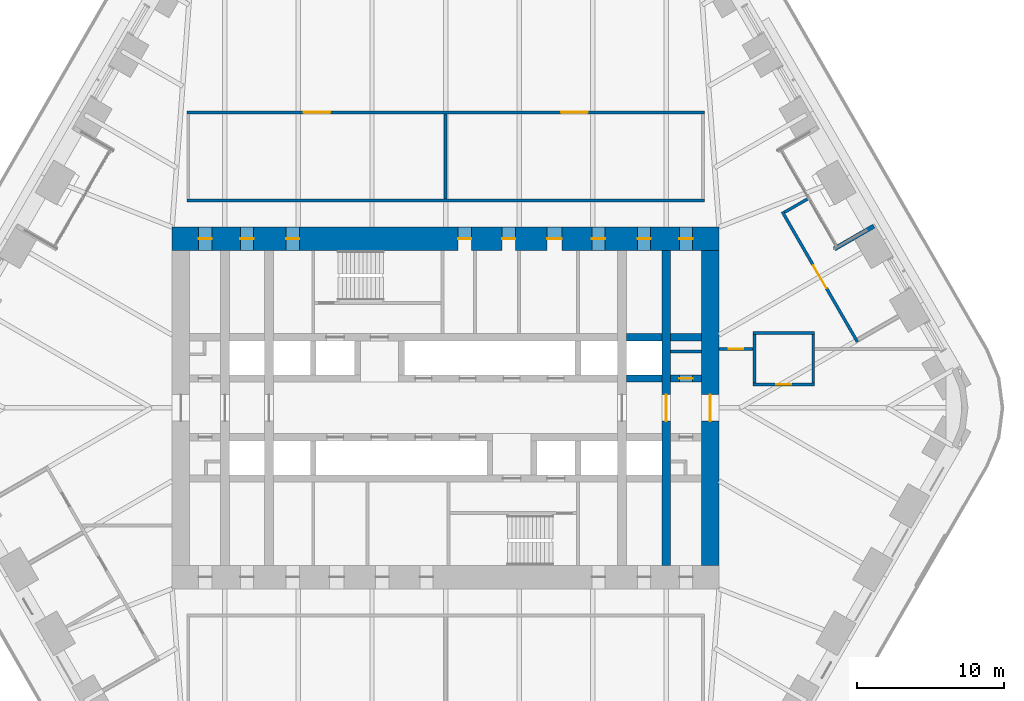
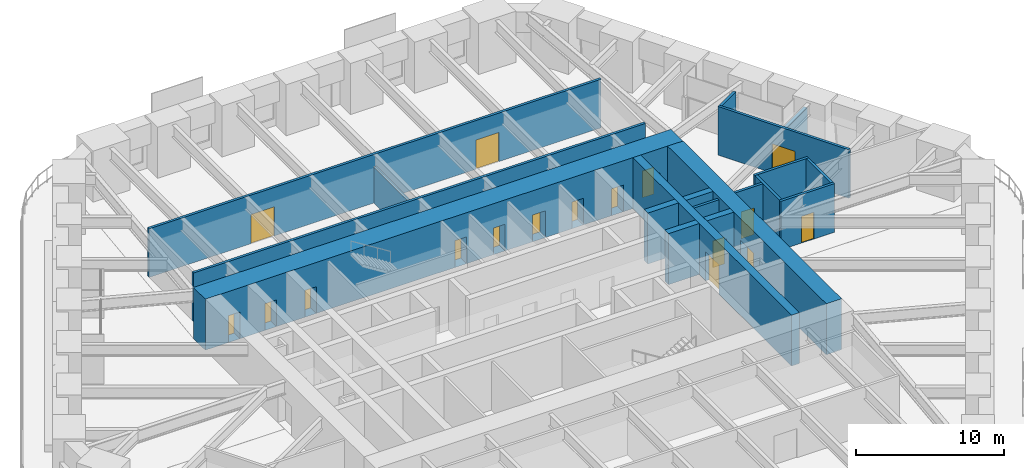
# One storey, part 20 of 24: 19 walls, 17 doors, 17 openings.
"""IFC4 building model written with IfcOpenShell, lengths in metres."""

from ifc_helpers import new_model, si_unit, direction, frame, frame_2d, origin, place, context, subcontext, project, spatial, rectangle, extrude, material, layer, layer_set, type_object, element, fill, save


model = new_model("IFC4")

# Units and contexts
model_context = context("Model", 3, precision=1e-05, world=origin(), true_north=direction((0.0, 1.0)))
body_context = subcontext(model_context, "Body", "Model", "MODEL_VIEW")
ifc_project = project(units=[si_unit("LENGTHUNIT", "METRE"), si_unit("AREAUNIT", "SQUARE_METRE"), si_unit("VOLUMEUNIT", "CUBIC_METRE"), si_unit("PLANEANGLEUNIT", "RADIAN"), si_unit("MASSUNIT", "GRAM", prefix="KILO")], contexts=[model_context])

# Site, building, storey
site_placement = place(None, origin())
site = spatial("IfcSite", under=ifc_project, at=site_placement, CompositionType="ELEMENT")
building_placement = place(site_placement, origin())
building = spatial("IfcBuilding", under=site, at=building_placement, Name="Tarfa Lantern Tower", CompositionType="ELEMENT")
storey_placement = place(building_placement, frame((0.0, 0.0, 119.5)))
storey = spatial("IfcBuildingStorey", under=building, at=storey_placement, Name="L26", CompositionType="ELEMENT", Elevation=119.5)

# Walls
ifc_material_1 = material(Name="Limestone cladding on blockwork", Category="masonry")
ifc_layer_1 = layer(ifc_material_1, 0.300048828125)
ifc_layer_set_1 = layer_set([ifc_layer_1], Name="EW1 STONE-CLAD WALL 300")
wall_type_1 = type_object("IfcWallType", Name="EW1 STONE-CLAD WALL 300", PredefinedType="SOLIDWALL", material=ifc_layer_set_1)
wall_1_placement = place(storey_placement, frame((29.1201171875, 12.362548828125, 0.0), z_axis=(0.0, 0.0, 1.0), x_axis=(-0.86602952684, -0.49999285859, 0.0)))
element("IfcWall", 1, at=wall_1_placement, inside=storey, type_object=wall_type_1, Name="Loggia return NE 1", PredefinedType="SOLIDWALL", context=body_context, shape_type="SweptSolid", body=[
    extrude(rectangle(XDim=3.10009765625, YDim=0.300048828125, at=frame_2d((1.550048828125, 0.0))), origin(), (0.0, 0.0, 1.0), 2.300048828125),
])
ifc_material_2 = material(Name="Concrete blockwork", Category="masonry")
ifc_layer_2 = layer(ifc_material_2, 0.199951171875)
ifc_layer_set_2 = layer_set([ifc_layer_2], Name="IW1 BLOCKWORK PARTITION 200 EI 120")
wall_type_2 = type_object("IfcWallType", Name="IW1 BLOCKWORK PARTITION 200 EI 120", PredefinedType="PARTITIONING", material=ifc_layer_set_2)
wall_2_placement = place(storey_placement, frame((15.300048828125, 3.85009765625, 0.0), z_axis=(0.0, 0.0, 1.0), x_axis=(1.0, 0.0, 0.0)))
element("IfcWall", 2, at=wall_2_placement, inside=storey, type_object=wall_type_2, Name="Core partition", PredefinedType="PARTITIONING", context=body_context, shape_type="SweptSolid", body=[
    extrude(rectangle(XDim=2.099853515625, YDim=0.199951171875, at=frame_2d((1.0498046875, 0.0))), origin(), (0.0, 0.0, 1.0), 4.0),
])
ifc_material_3 = material(Name="Gypsum board on steel studs", Category="steel")
ifc_layer_3 = layer(ifc_material_3, 0.2099609375)
ifc_layer_set_3 = layer_set([ifc_layer_3], Name="IW2 ACOUSTIC PARTITION 200")
wall_type_3 = type_object("IfcWallType", Name="IW2 ACOUSTIC PARTITION 200", PredefinedType="PARTITIONING", material=ifc_layer_set_3)
wall_3_placement = place(storey_placement, frame((-17.60009765625, 14.10009765625, 0.0), z_axis=(0.0, 0.0, 1.0), x_axis=(1.0, 0.0, 0.0)))
element("IfcWall", 3, at=wall_3_placement, inside=storey, type_object=wall_type_3, Name="Partition", PredefinedType="PARTITIONING", context=body_context, shape_type="SweptSolid", body=[
    extrude(rectangle(XDim=35.2001953125, YDim=0.199951171875, at=frame_2d((17.60009765625, 0.0))), origin(), (0.0, 0.0, 1.0), 4.0),
])

# Wall, openings, doors
wall_4_placement = place(storey_placement, frame((-17.60009765625, 20.10009765625, 0.0), z_axis=(0.0, 0.0, 1.0), x_axis=(1.0, 0.0, 0.0)))
wall_4 = element("IfcWall", 4, at=wall_4_placement, inside=storey, type_object=wall_type_3, Name="Partition", PredefinedType="PARTITIONING", context=body_context, shape_type="SweptSolid", body=[
    extrude(rectangle(XDim=35.2001953125, YDim=0.199951171875, at=frame_2d((17.60009765625, 0.0))), origin(), (0.0, 0.0, 1.0), 4.0),
])
opening_1_placement = place(wall_4_placement, frame((7.949951171875, 0.0, 0.0)))
opening_1 = element("IfcOpeningElement", 5, at=opening_1_placement, cuts=wall_4, Name="Opening D38", PredefinedType="OPENING", context=body_context, shape_type="SweptSolid", body=[
    extrude(rectangle(XDim=1.800048828125, YDim=2.39990234375, at=frame_2d((0.89990234375, 1.199951171875))), frame((0.0, 0.10986328125, 0.0), z_axis=(0.0, -1.0, 0.0), x_axis=(1.0, 0.0, 0.0)), (0.0, 0.0, 1.0), 0.219970703125),
])
opening_2_placement = place(wall_4_placement, frame((25.449951171875, 0.0, 0.0)))
opening_2 = element("IfcOpeningElement", 6, at=opening_2_placement, cuts=wall_4, Name="Opening D39", PredefinedType="OPENING", context=body_context, shape_type="SweptSolid", body=[
    extrude(rectangle(XDim=1.800048828125, YDim=2.39990234375, at=frame_2d((0.89990234375, 1.199951171875))), frame((0.0, 0.10986328125, 0.0), z_axis=(0.0, -1.0, 0.0), x_axis=(1.0, 0.0, 0.0)), (0.0, 0.0, 1.0), 0.219970703125),
])
ifc_material_4 = material(Name="Timber door", Category="wood")
door_type_1 = type_object("IfcDoorType", Name="DR2 ROOM DOOR 1800x2400", OperationType="DOUBLE_DOOR_SINGLE_SWING", PredefinedType="DOOR", material=ifc_material_4)
door_1_placement = place(opening_1_placement, frame((1.800048828125, 0.0, 0.0), z_axis=(0.0, 0.0, 1.0), x_axis=(-1.0, 0.0, 0.0)))
door_1 = element("IfcDoor", 7, at=door_1_placement, inside=storey, type_object=door_type_1, Name="Classroom door", OperationType="DOUBLE_DOOR_SINGLE_SWING", OverallHeight=2.39990234375, OverallWidth=1.800048828125, PredefinedType="DOOR", context=body_context, shape_type="SweptSolid", body=[
    extrude(rectangle(XDim=1.800048828125, YDim=2.39990234375, at=frame_2d((0.89990234375, 1.199951171875))), frame((0.0, 0.02490234375, 0.0), z_axis=(0.0, -1.0, 0.0), x_axis=(1.0, 0.0, 0.0)), (0.0, 0.0, 1.0), 0.050048828125),
])
fill(opening_1, door_1)
door_2_placement = place(opening_2_placement, frame((1.800048828125, 0.0, 0.0), z_axis=(0.0, 0.0, 1.0), x_axis=(-1.0, 0.0, 0.0)))
door_2 = element("IfcDoor", 8, at=door_2_placement, inside=storey, type_object=door_type_1, Name="Tutors' office door", OperationType="DOUBLE_DOOR_SINGLE_SWING", OverallHeight=2.39990234375, OverallWidth=1.800048828125, PredefinedType="DOOR", context=body_context, shape_type="SweptSolid", body=[
    extrude(rectangle(XDim=1.800048828125, YDim=2.39990234375, at=frame_2d((0.89990234375, 1.199951171875))), frame((0.0, 0.02490234375, 0.0), z_axis=(0.0, -1.0, 0.0), x_axis=(1.0, 0.0, 0.0)), (0.0, 0.0, 1.0), 0.050048828125),
])
fill(opening_2, door_2)

# Wall
wall_5_placement = place(storey_placement, frame((0.0, 14.199951171875, 0.0), z_axis=(0.0, 0.0, 1.0), x_axis=(0.0, 1.0, 0.0)))
element("IfcWall", 9, at=wall_5_placement, inside=storey, type_object=wall_type_3, Name="Partition", PredefinedType="PARTITIONING", context=body_context, shape_type="SweptSolid", body=[
    extrude(rectangle(XDim=5.800048828125, YDim=0.199951171875, at=frame_2d((2.89990234375, 0.0))), origin(), (0.0, 0.0, 1.0), 2.991943359375),
])

# Wall, opening, door
wall_6_placement = place(storey_placement, frame((28.00341796875, 4.496826171875, 0.0), z_axis=(0.0, 0.0, 1.0), x_axis=(-0.500005407604, 0.86602228168, 0.0)))
wall_6 = element("IfcWall", 10, at=wall_6_placement, inside=storey, type_object=wall_type_3, Name="Partition", PredefinedType="PARTITIONING", context=body_context, shape_type="SweptSolid", body=[
    extrude(rectangle(XDim=10.20751953125, YDim=0.199951171875, at=frame_2d((5.103759765625, 0.0))), origin(), (0.0, 0.0, 1.0), 4.0),
])
opening_3_placement = place(wall_6_placement, frame((4.20361328125, 0.0, 0.0)))
opening_3 = element("IfcOpeningElement", 11, at=opening_3_placement, cuts=wall_6, Name="Opening D34", PredefinedType="OPENING", context=body_context, shape_type="SweptSolid", body=[
    extrude(rectangle(XDim=1.800048828125, YDim=2.39990234375, at=frame_2d((0.89990234375, 1.199951171875))), frame((0.0, 0.10986328125, 0.0), z_axis=(0.0, -1.0, 0.0), x_axis=(1.0, 0.0, 0.0)), (0.0, 0.0, 1.0), 0.219970703125),
])
door_3_placement = place(opening_3_placement, frame((1.800048828125, 0.0, 0.0), z_axis=(0.0, 0.0, 1.0), x_axis=(-1.0, 0.0, 0.0)))
door_3 = element("IfcDoor", 12, at=door_3_placement, inside=storey, type_object=door_type_1, Name="Knowledge centre door", OperationType="DOUBLE_DOOR_SINGLE_SWING", OverallHeight=2.39990234375, OverallWidth=1.800048828125, PredefinedType="DOOR", context=body_context, shape_type="SweptSolid", body=[
    extrude(rectangle(XDim=1.800048828125, YDim=2.39990234375, at=frame_2d((0.89990234375, 1.199951171875))), frame((0.0, 0.02490234375, 0.0), z_axis=(0.0, -1.0, 0.0), x_axis=(1.0, 0.0, 0.0)), (0.0, 0.0, 1.0), 0.050048828125),
])
fill(opening_3, door_3)

# Wall
wall_7_placement = place(storey_placement, frame((23.036376953125, 13.300048828125, 0.0), z_axis=(0.0, 0.0, 1.0), x_axis=(0.866029456041, 0.49999298122, 0.0)))
element("IfcWall", 13, at=wall_7_placement, inside=storey, type_object=wall_type_3, Name="Partition", PredefinedType="PARTITIONING", context=body_context, shape_type="SweptSolid", body=[
    extrude(rectangle(XDim=1.90087890625, YDim=0.199951171875, at=frame_2d((0.950439453125, 0.0))), origin(), (0.0, 0.0, 1.0), 4.0),
])

# Wall, opening, door
wall_8_placement = place(storey_placement, frame((20.89990234375, 1.60009765625, 0.0), z_axis=(0.0, 0.0, 1.0), x_axis=(1.0, 0.0, 0.0)))
wall_8 = element("IfcWall", 14, at=wall_8_placement, inside=storey, type_object=wall_type_3, Name="Partition", PredefinedType="PARTITIONING", context=body_context, shape_type="SweptSolid", body=[
    extrude(rectangle(XDim=4.2001953125, YDim=0.199951171875, at=frame_2d((2.10009765625, 0.0))), origin(), (0.0, 0.0, 1.0), 4.0),
])
opening_4_placement = place(wall_8_placement, frame((1.60009765625, 0.0, 0.0)))
opening_4 = element("IfcOpeningElement", 15, at=opening_4_placement, cuts=wall_8, Name="Opening D33", PredefinedType="OPENING", context=body_context, shape_type="SweptSolid", body=[
    extrude(rectangle(XDim=1.0, YDim=2.199951171875, at=frame_2d((0.5, 1.10009765625))), frame((0.0, 0.10986328125, 0.0), z_axis=(0.0, -1.0, 0.0), x_axis=(1.0, 0.0, 0.0)), (0.0, 0.0, 1.0), 0.219970703125),
])
door_type_2 = type_object("IfcDoorType", Name="DR1 ROOM DOOR 1000x2200", OperationType="SINGLE_SWING_LEFT", PredefinedType="DOOR", material=ifc_material_4)
door_4_placement = place(opening_4_placement, origin())
door_4 = element("IfcDoor", 16, at=door_4_placement, inside=storey, type_object=door_type_2, Name="Pantry door", OperationType="SINGLE_SWING_RIGHT", OverallHeight=2.199951171875, OverallWidth=1.0, PredefinedType="DOOR", context=body_context, shape_type="SweptSolid", body=[
    extrude(rectangle(XDim=1.0, YDim=2.199951171875, at=frame_2d((0.5, 1.10009765625))), frame((0.0, 0.02490234375, 0.0), z_axis=(0.0, -1.0, 0.0), x_axis=(1.0, 0.0, 0.0)), (0.0, 0.0, 1.0), 0.050048828125),
])
fill(opening_4, door_4)

# Walls
wall_9_placement = place(storey_placement, frame((20.89990234375, 5.10009765625, 0.0), z_axis=(0.0, 0.0, 1.0), x_axis=(1.0, 0.0, 0.0)))
element("IfcWall", 17, at=wall_9_placement, inside=storey, type_object=wall_type_3, Name="Partition", PredefinedType="PARTITIONING", context=body_context, shape_type="SweptSolid", body=[
    extrude(rectangle(XDim=4.2001953125, YDim=0.199951171875, at=frame_2d((2.10009765625, 0.0))), origin(), (0.0, 0.0, 1.0), 4.0),
])
for number, where, z_axis, x_axis, name in (
    (18, (21.0, 1.699951171875, 0.0), (0.0, 0.0, 1.0), (0.0, 1.0, 0.0), "Partition"),
    (19, (25.0, 1.699951171875, 0.0), (0.0, 0.0, 1.0), (0.0, 1.0, 0.0), "Partition"),
):
    element("IfcWall", number, at=place(storey_placement, frame(where, z_axis=z_axis, x_axis=x_axis)), inside=storey, type_object=wall_type_3, Name=name, PredefinedType="PARTITIONING", context=body_context, shape_type="SweptSolid", body=[
        extrude(rectangle(XDim=3.300048828125, YDim=0.199951171875, at=frame_2d((1.64990234375, 0.0))), origin(), (0.0, 0.0, 1.0), 4.0),
    ])

# Wall, opening, door
wall_10_placement = place(storey_placement, frame((18.60009765625, 4.0, 0.0), z_axis=(0.0, 0.0, 1.0), x_axis=(1.0, 0.0, 0.0)))
wall_10 = element("IfcWall", 20, at=wall_10_placement, inside=storey, type_object=wall_type_3, Name="Partition", PredefinedType="PARTITIONING", context=body_context, shape_type="SweptSolid", body=[
    extrude(rectangle(XDim=2.2998046875, YDim=0.199951171875, at=frame_2d((1.14990234375, 0.0))), origin(), (0.0, 0.0, 1.0), 4.0),
])
opening_5_placement = place(wall_10_placement, frame((0.64990234375, 0.0, 0.0)))
opening_5 = element("IfcOpeningElement", 21, at=opening_5_placement, cuts=wall_10, Name="Opening D42", PredefinedType="OPENING", context=body_context, shape_type="SweptSolid", body=[
    extrude(rectangle(XDim=1.0, YDim=2.199951171875, at=frame_2d((0.5, 1.10009765625))), frame((0.0, 0.10986328125, 0.0), z_axis=(0.0, -1.0, 0.0), x_axis=(1.0, 0.0, 0.0)), (0.0, 0.0, 1.0), 0.219970703125),
])
door_5_placement = place(opening_5_placement, frame((1.0, 0.0, 0.0), z_axis=(0.0, 0.0, 1.0), x_axis=(-1.0, 0.0, 0.0)))
door_5 = element("IfcDoor", 22, at=door_5_placement, inside=storey, type_object=door_type_2, Name="Zone door", OperationType="SINGLE_SWING_RIGHT", OverallHeight=2.199951171875, OverallWidth=1.0, PredefinedType="DOOR", context=body_context, shape_type="SweptSolid", body=[
    extrude(rectangle(XDim=1.0, YDim=2.199951171875, at=frame_2d((0.5, 1.10009765625))), frame((0.0, 0.02490234375, 0.0), z_axis=(0.0, -1.0, 0.0), x_axis=(1.0, 0.0, 0.0)), (0.0, 0.0, 1.0), 0.050048828125),
])
fill(opening_5, door_5)

ifc_material_5 = material(Name="Concrete C80/95", Category="concrete")
ifc_layer_4 = layer(ifc_material_5, 1.199951171875)
ifc_layer_set_4 = layer_set([ifc_layer_4], Name="SW1 CORE WALL 1200")
wall_type_4 = type_object("IfcWallType", Name="SW1 CORE WALL 1200", PredefinedType="SHEAR", material=ifc_layer_set_4)
wall_11_placement = place(storey_placement, frame((18.0, -10.699951171875, 0.0), z_axis=(0.0, 0.0, 1.0), x_axis=(0.0, 1.0, 0.0)))
wall_11 = element("IfcWall", 23, at=wall_11_placement, inside=storey, type_object=wall_type_4, Name="Core wall E", PredefinedType="SHEAR", context=body_context, shape_type="SweptSolid", body=[
    extrude(rectangle(XDim=21.39990234375, YDim=1.199951171875, at=frame_2d((10.699951171875, 0.0))), origin(), (0.0, 0.0, 1.0), 4.199951171875),
])
opening_6_placement = place(wall_11_placement, frame((9.800048828125, 0.0, 0.0)))
opening_6 = element("IfcOpeningElement", 24, at=opening_6_placement, cuts=wall_11, Name="Opening D15", PredefinedType="OPENING", context=body_context, shape_type="SweptSolid", body=[
    extrude(rectangle(XDim=1.800048828125, YDim=2.39990234375, at=frame_2d((0.89990234375, 1.199951171875))), frame((0.0, 0.60986328125, 0.0), z_axis=(0.0, -1.0, 0.0), x_axis=(1.0, 0.0, 0.0)), (0.0, 0.0, 1.0), 1.219970703125),
])
ifc_material_6 = material(Name="Steel fire door", Category="steel")
door_type_3 = type_object("IfcDoorType", Name="DL1 LOBBY DOOR 1800x2400", OperationType="DOUBLE_DOOR_SINGLE_SWING", PredefinedType="DOOR", material=ifc_material_6)
door_6_placement = place(opening_6_placement, frame((1.800048828125, 0.0, 0.0), z_axis=(0.0, 0.0, 1.0), x_axis=(-1.0, 0.0, 0.0)))
door_6 = element("IfcDoor", 25, at=door_6_placement, inside=storey, type_object=door_type_3, Name="Lift lobby door", OperationType="DOUBLE_DOOR_SINGLE_SWING", OverallHeight=2.39990234375, OverallWidth=1.800048828125, PredefinedType="DOOR", context=body_context, shape_type="SweptSolid", body=[
    extrude(rectangle(XDim=1.800048828125, YDim=2.39990234375, at=frame_2d((0.89990234375, 1.199951171875))), frame((0.0, 0.02490234375, 0.0), z_axis=(0.0, -1.0, 0.0), x_axis=(1.0, 0.0, 0.0)), (0.0, 0.0, 1.0), 0.050048828125),
])
fill(opening_6, door_6)

# Wall
ifc_layer_5 = layer(ifc_material_5, 0.5)
ifc_layer_set_5 = layer_set([ifc_layer_5], Name="SW5 CORE WALL 500")
wall_type_5 = type_object("IfcWallType", Name="SW5 CORE WALL 500", PredefinedType="SHEAR", material=ifc_layer_set_5)
wall_12_placement = place(storey_placement, frame((12.300048828125, 2.0, 0.0), z_axis=(0.0, 0.0, 1.0), x_axis=(1.0, 0.0, 0.0)))
element("IfcWall", 26, at=wall_12_placement, inside=storey, type_object=wall_type_5, Name="Core wall lobby east N", PredefinedType="SHEAR", context=body_context, shape_type="SweptSolid", body=[
    extrude(rectangle(XDim=2.39990234375, YDim=0.5, at=frame_2d((1.199951171875, 0.0))), origin(), (0.0, 0.0, 1.0), 4.199951171875),
])

# Wall, opening, door
wall_13_placement = place(storey_placement, frame((15.300048828125, 2.0, 0.0), z_axis=(0.0, 0.0, 1.0), x_axis=(1.0, 0.0, 0.0)))
wall_13 = element("IfcWall", 27, at=wall_13_placement, inside=storey, type_object=wall_type_5, Name="Core wall lobby east N", PredefinedType="SHEAR", context=body_context, shape_type="SweptSolid", body=[
    extrude(rectangle(XDim=2.099853515625, YDim=0.5, at=frame_2d((1.0498046875, 0.0))), origin(), (0.0, 0.0, 1.0), 4.199951171875),
])
opening_7_placement = place(wall_13_placement, frame((0.60009765625, 0.0, 0.0)))
opening_7 = element("IfcOpeningElement", 28, at=opening_7_placement, cuts=wall_13, Name="Opening D17", PredefinedType="OPENING", context=body_context, shape_type="SweptSolid", body=[
    extrude(rectangle(XDim=0.89990234375, YDim=2.199951171875, at=frame_2d((0.449951171875, 1.10009765625))), frame((0.0, 0.260009765625, 0.0), z_axis=(0.0, -1.0, 0.0), x_axis=(1.0, 0.0, 0.0)), (0.0, 0.0, 1.0), 0.52001953125),
])
door_type_4 = type_object("IfcDoorType", Name="DF6 SERVICE ROOM DOOR 900x2200", OperationType="SINGLE_SWING_LEFT", PredefinedType="DOOR", material=ifc_material_6)
door_7_placement = place(opening_7_placement, origin())
door_7 = element("IfcDoor", 29, at=door_7_placement, inside=storey, type_object=door_type_4, Name="Service room door", OperationType="SINGLE_SWING_LEFT", OverallHeight=2.199951171875, OverallWidth=0.89990234375, PredefinedType="DOOR", context=body_context, shape_type="SweptSolid", body=[
    extrude(rectangle(XDim=0.89990234375, YDim=2.199951171875, at=frame_2d((0.449951171875, 1.10009765625))), frame((0.0, 0.02490234375, 0.0), z_axis=(0.0, -1.0, 0.0), x_axis=(1.0, 0.0, 0.0)), (0.0, 0.0, 1.0), 0.050048828125),
])
fill(opening_7, door_7)

# Walls
wall_14_placement = place(storey_placement, frame((12.300048828125, 4.800048828125, 0.0), z_axis=(0.0, 0.0, 1.0), x_axis=(1.0, 0.0, 0.0)))
element("IfcWall", 30, at=wall_14_placement, inside=storey, type_object=wall_type_5, Name="Core wall rear N", PredefinedType="SHEAR", context=body_context, shape_type="SweptSolid", body=[
    extrude(rectangle(XDim=2.39990234375, YDim=0.5, at=frame_2d((1.199951171875, 0.0))), origin(), (0.0, 0.0, 1.0), 4.199951171875),
])
wall_15_placement = place(storey_placement, frame((15.300048828125, 4.800048828125, 0.0), z_axis=(0.0, 0.0, 1.0), x_axis=(1.0, 0.0, 0.0)))
element("IfcWall", 31, at=wall_15_placement, inside=storey, type_object=wall_type_5, Name="Core wall rear N", PredefinedType="SHEAR", context=body_context, shape_type="SweptSolid", body=[
    extrude(rectangle(XDim=2.099853515625, YDim=0.5, at=frame_2d((1.0498046875, 0.0))), origin(), (0.0, 0.0, 1.0), 4.199951171875),
])

# Wall, openings, doors
ifc_layer_6 = layer(ifc_material_5, 1.60009765625)
ifc_layer_set_6 = layer_set([ifc_layer_6], Name="SW7 CORE WALL 1600")
wall_type_6 = type_object("IfcWallType", Name="SW7 CORE WALL 1600", PredefinedType="SHEAR", material=ifc_layer_set_6)
wall_16_placement = place(storey_placement, frame((-18.60009765625, 11.5, 0.0), z_axis=(0.0, 0.0, 1.0), x_axis=(1.0, 0.0, 0.0)))
wall_16 = element("IfcWall", 32, at=wall_16_placement, inside=storey, type_object=wall_type_6, Name="Core wall N", PredefinedType="SHEAR", context=body_context, shape_type="SweptSolid", body=[
    extrude(rectangle(XDim=37.2001953125, YDim=1.60009765625, at=frame_2d((18.60009765625, 0.0))), origin(), (0.0, 0.0, 1.0), 4.199951171875),
])
opening_8_placement = place(wall_16_placement, frame((19.449951171875, 0.0, 0.0)))
opening_8 = element("IfcOpeningElement", 33, at=opening_8_placement, cuts=wall_16, Name="Opening D21", PredefinedType="OPENING", context=body_context, shape_type="SweptSolid", body=[
    extrude(rectangle(XDim=0.89990234375, YDim=2.199951171875, at=frame_2d((0.449951171875, 1.10009765625))), frame((0.0, 0.81005859375, 0.0), z_axis=(0.0, -1.0, 0.0), x_axis=(1.0, 0.0, 0.0)), (0.0, 0.0, 1.0), 1.6201171875),
])
opening_9_placement = place(wall_16_placement, frame((22.449951171875, 0.0, 0.0)))
opening_9 = element("IfcOpeningElement", 34, at=opening_9_placement, cuts=wall_16, Name="Opening D23", PredefinedType="OPENING", context=body_context, shape_type="SweptSolid", body=[
    extrude(rectangle(XDim=0.89990234375, YDim=2.199951171875, at=frame_2d((0.449951171875, 1.10009765625))), frame((0.0, 0.81005859375, 0.0), z_axis=(0.0, -1.0, 0.0), x_axis=(1.0, 0.0, 0.0)), (0.0, 0.0, 1.0), 1.6201171875),
])
opening_10_placement = place(wall_16_placement, frame((25.5, 0.0, 0.0)))
opening_10 = element("IfcOpeningElement", 35, at=opening_10_placement, cuts=wall_16, Name="Opening D25", PredefinedType="OPENING", context=body_context, shape_type="SweptSolid", body=[
    extrude(rectangle(XDim=1.0, YDim=2.199951171875, at=frame_2d((0.5, 1.10009765625))), frame((0.0, 0.81005859375, 0.0), z_axis=(0.0, -1.0, 0.0), x_axis=(1.0, 0.0, 0.0)), (0.0, 0.0, 1.0), 1.6201171875),
])
opening_11_placement = place(wall_16_placement, frame((1.800048828125, 0.0, 0.0)))
opening_11 = element("IfcOpeningElement", 36, at=opening_11_placement, cuts=wall_16, Name="Opening D11", PredefinedType="OPENING", context=body_context, shape_type="SweptSolid", body=[
    extrude(rectangle(XDim=0.89990234375, YDim=2.199951171875, at=frame_2d((0.449951171875, 1.10009765625))), frame((0.0, 0.81005859375, 0.0), z_axis=(0.0, -1.0, 0.0), x_axis=(1.0, 0.0, 0.0)), (0.0, 0.0, 1.0), 1.6201171875),
])
opening_12_placement = place(wall_16_placement, frame((4.64990234375, 0.0, 0.0)))
opening_12 = element("IfcOpeningElement", 37, at=opening_12_placement, cuts=wall_16, Name="Opening D07", PredefinedType="OPENING", context=body_context, shape_type="SweptSolid", body=[
    extrude(rectangle(XDim=0.89990234375, YDim=2.199951171875, at=frame_2d((0.449951171875, 1.10009765625))), frame((0.0, 0.81005859375, 0.0), z_axis=(0.0, -1.0, 0.0), x_axis=(1.0, 0.0, 0.0)), (0.0, 0.0, 1.0), 1.6201171875),
])
opening_13_placement = place(wall_16_placement, frame((7.75, 0.0, 0.0)))
opening_13 = element("IfcOpeningElement", 38, at=opening_13_placement, cuts=wall_16, Name="Opening D09", PredefinedType="OPENING", context=body_context, shape_type="SweptSolid", body=[
    extrude(rectangle(XDim=0.89990234375, YDim=2.199951171875, at=frame_2d((0.449951171875, 1.10009765625))), frame((0.0, 0.81005859375, 0.0), z_axis=(0.0, -1.0, 0.0), x_axis=(1.0, 0.0, 0.0)), (0.0, 0.0, 1.0), 1.6201171875),
])
opening_14_placement = place(wall_16_placement, frame((28.550048828125, 0.0, 0.0)))
opening_14 = element("IfcOpeningElement", 39, at=opening_14_placement, cuts=wall_16, Name="Opening D05", PredefinedType="OPENING", context=body_context, shape_type="SweptSolid", body=[
    extrude(rectangle(XDim=0.89990234375, YDim=2.199951171875, at=frame_2d((0.449951171875, 1.10009765625))), frame((0.0, 0.81005859375, 0.0), z_axis=(0.0, -1.0, 0.0), x_axis=(1.0, 0.0, 0.0)), (0.0, 0.0, 1.0), 1.6201171875),
])
opening_15_placement = place(wall_16_placement, frame((31.64990234375, 0.0, 0.0)))
opening_15 = element("IfcOpeningElement", 40, at=opening_15_placement, cuts=wall_16, Name="Opening D01", PredefinedType="OPENING", context=body_context, shape_type="SweptSolid", body=[
    extrude(rectangle(XDim=0.89990234375, YDim=2.199951171875, at=frame_2d((0.449951171875, 1.10009765625))), frame((0.0, 0.81005859375, 0.0), z_axis=(0.0, -1.0, 0.0), x_axis=(1.0, 0.0, 0.0)), (0.0, 0.0, 1.0), 1.6201171875),
])
opening_16_placement = place(wall_16_placement, frame((34.5, 0.0, 0.0)))
opening_16 = element("IfcOpeningElement", 41, at=opening_16_placement, cuts=wall_16, Name="Opening D03", PredefinedType="OPENING", context=body_context, shape_type="SweptSolid", body=[
    extrude(rectangle(XDim=0.89990234375, YDim=2.199951171875, at=frame_2d((0.449951171875, 1.10009765625))), frame((0.0, 0.81005859375, 0.0), z_axis=(0.0, -1.0, 0.0), x_axis=(1.0, 0.0, 0.0)), (0.0, 0.0, 1.0), 1.6201171875),
])
door_type_5 = type_object("IfcDoorType", Name="DF3 CORE ROOM DOOR 900x2200", OperationType="SINGLE_SWING_LEFT", PredefinedType="DOOR", material=ifc_material_6)
door_8_placement = place(opening_8_placement, frame((0.89990234375, 0.0, 0.0), z_axis=(0.0, 0.0, 1.0), x_axis=(-1.0, 0.0, 0.0)))
door_8 = element("IfcDoor", 42, at=door_8_placement, inside=storey, type_object=door_type_5, Name="Core door", OperationType="SINGLE_SWING_RIGHT", OverallHeight=2.199951171875, OverallWidth=0.89990234375, PredefinedType="DOOR", context=body_context, shape_type="SweptSolid", body=[
    extrude(rectangle(XDim=0.89990234375, YDim=2.199951171875, at=frame_2d((0.449951171875, 1.10009765625))), frame((0.0, 0.02490234375, 0.0), z_axis=(0.0, -1.0, 0.0), x_axis=(1.0, 0.0, 0.0)), (0.0, 0.0, 1.0), 0.050048828125),
])
fill(opening_8, door_8)
door_9_placement = place(opening_9_placement, frame((0.89990234375, 0.0, 0.0), z_axis=(0.0, 0.0, 1.0), x_axis=(-1.0, 0.0, 0.0)))
door_9 = element("IfcDoor", 43, at=door_9_placement, inside=storey, type_object=door_type_5, Name="Core door", OperationType="SINGLE_SWING_RIGHT", OverallHeight=2.199951171875, OverallWidth=0.89990234375, PredefinedType="DOOR", context=body_context, shape_type="SweptSolid", body=[
    extrude(rectangle(XDim=0.89990234375, YDim=2.199951171875, at=frame_2d((0.449951171875, 1.10009765625))), frame((0.0, 0.02490234375, 0.0), z_axis=(0.0, -1.0, 0.0), x_axis=(1.0, 0.0, 0.0)), (0.0, 0.0, 1.0), 0.050048828125),
])
fill(opening_9, door_9)
door_type_6 = type_object("IfcDoorType", Name="DF4 CORE ROOM DOOR 1000x2200", OperationType="SINGLE_SWING_LEFT", PredefinedType="DOOR", material=ifc_material_6)
door_10_placement = place(opening_10_placement, frame((1.0, 0.0, 0.0), z_axis=(0.0, 0.0, 1.0), x_axis=(-1.0, 0.0, 0.0)))
door_10 = element("IfcDoor", 44, at=door_10_placement, inside=storey, type_object=door_type_6, Name="Core door", OperationType="SINGLE_SWING_RIGHT", OverallHeight=2.199951171875, OverallWidth=1.0, PredefinedType="DOOR", context=body_context, shape_type="SweptSolid", body=[
    extrude(rectangle(XDim=1.0, YDim=2.199951171875, at=frame_2d((0.5, 1.10009765625))), frame((0.0, 0.02490234375, 0.0), z_axis=(0.0, -1.0, 0.0), x_axis=(1.0, 0.0, 0.0)), (0.0, 0.0, 1.0), 0.050048828125),
])
fill(opening_10, door_10)
door_type_7 = type_object("IfcDoorType", Name="DF5 RISER DOOR 900x2200", OperationType="SINGLE_SWING_LEFT", PredefinedType="DOOR", material=ifc_material_6)
door_11_placement = place(opening_11_placement, frame((0.89990234375, 0.0, 0.0), z_axis=(0.0, 0.0, 1.0), x_axis=(-1.0, 0.0, 0.0)))
door_11 = element("IfcDoor", 45, at=door_11_placement, inside=storey, type_object=door_type_7, Name="Riser door", OperationType="SINGLE_SWING_LEFT", OverallHeight=2.199951171875, OverallWidth=0.89990234375, PredefinedType="DOOR", context=body_context, shape_type="SweptSolid", body=[
    extrude(rectangle(XDim=0.89990234375, YDim=2.199951171875, at=frame_2d((0.449951171875, 1.10009765625))), frame((0.0, 0.02490234375, 0.0), z_axis=(0.0, -1.0, 0.0), x_axis=(1.0, 0.0, 0.0)), (0.0, 0.0, 1.0), 0.050048828125),
])
fill(opening_11, door_11)
door_12_placement = place(opening_12_placement, frame((0.89990234375, 0.0, 0.0), z_axis=(0.0, 0.0, 1.0), x_axis=(-1.0, 0.0, 0.0)))
door_12 = element("IfcDoor", 46, at=door_12_placement, inside=storey, type_object=door_type_7, Name="Riser door", OperationType="SINGLE_SWING_LEFT", OverallHeight=2.199951171875, OverallWidth=0.89990234375, PredefinedType="DOOR", context=body_context, shape_type="SweptSolid", body=[
    extrude(rectangle(XDim=0.89990234375, YDim=2.199951171875, at=frame_2d((0.449951171875, 1.10009765625))), frame((0.0, 0.02490234375, 0.0), z_axis=(0.0, -1.0, 0.0), x_axis=(1.0, 0.0, 0.0)), (0.0, 0.0, 1.0), 0.050048828125),
])
fill(opening_12, door_12)
door_13_placement = place(opening_13_placement, frame((0.89990234375, 0.0, 0.0), z_axis=(0.0, 0.0, 1.0), x_axis=(-1.0, 0.0, 0.0)))
door_13 = element("IfcDoor", 47, at=door_13_placement, inside=storey, type_object=door_type_7, Name="Riser door", OperationType="SINGLE_SWING_LEFT", OverallHeight=2.199951171875, OverallWidth=0.89990234375, PredefinedType="DOOR", context=body_context, shape_type="SweptSolid", body=[
    extrude(rectangle(XDim=0.89990234375, YDim=2.199951171875, at=frame_2d((0.449951171875, 1.10009765625))), frame((0.0, 0.02490234375, 0.0), z_axis=(0.0, -1.0, 0.0), x_axis=(1.0, 0.0, 0.0)), (0.0, 0.0, 1.0), 0.050048828125),
])
fill(opening_13, door_13)
door_14_placement = place(opening_14_placement, frame((0.89990234375, 0.0, 0.0), z_axis=(0.0, 0.0, 1.0), x_axis=(-1.0, 0.0, 0.0)))
door_14 = element("IfcDoor", 48, at=door_14_placement, inside=storey, type_object=door_type_7, Name="Riser door", OperationType="SINGLE_SWING_RIGHT", OverallHeight=2.199951171875, OverallWidth=0.89990234375, PredefinedType="DOOR", context=body_context, shape_type="SweptSolid", body=[
    extrude(rectangle(XDim=0.89990234375, YDim=2.199951171875, at=frame_2d((0.449951171875, 1.10009765625))), frame((0.0, 0.02490234375, 0.0), z_axis=(0.0, -1.0, 0.0), x_axis=(1.0, 0.0, 0.0)), (0.0, 0.0, 1.0), 0.050048828125),
])
fill(opening_14, door_14)
door_15_placement = place(opening_15_placement, frame((0.89990234375, 0.0, 0.0), z_axis=(0.0, 0.0, 1.0), x_axis=(-1.0, 0.0, 0.0)))
door_15 = element("IfcDoor", 49, at=door_15_placement, inside=storey, type_object=door_type_7, Name="Riser door", OperationType="SINGLE_SWING_RIGHT", OverallHeight=2.199951171875, OverallWidth=0.89990234375, PredefinedType="DOOR", context=body_context, shape_type="SweptSolid", body=[
    extrude(rectangle(XDim=0.89990234375, YDim=2.199951171875, at=frame_2d((0.449951171875, 1.10009765625))), frame((0.0, 0.02490234375, 0.0), z_axis=(0.0, -1.0, 0.0), x_axis=(1.0, 0.0, 0.0)), (0.0, 0.0, 1.0), 0.050048828125),
])
fill(opening_15, door_15)
door_16_placement = place(opening_16_placement, frame((0.89990234375, 0.0, 0.0), z_axis=(0.0, 0.0, 1.0), x_axis=(-1.0, 0.0, 0.0)))
door_16 = element("IfcDoor", 50, at=door_16_placement, inside=storey, type_object=door_type_7, Name="Riser door", OperationType="SINGLE_SWING_RIGHT", OverallHeight=2.199951171875, OverallWidth=0.89990234375, PredefinedType="DOOR", context=body_context, shape_type="SweptSolid", body=[
    extrude(rectangle(XDim=0.89990234375, YDim=2.199951171875, at=frame_2d((0.449951171875, 1.10009765625))), frame((0.0, 0.02490234375, 0.0), z_axis=(0.0, -1.0, 0.0), x_axis=(1.0, 0.0, 0.0)), (0.0, 0.0, 1.0), 0.050048828125),
])
fill(opening_16, door_16)

# Wall, opening, door
ifc_layer_7 = layer(ifc_material_5, 0.60009765625)
ifc_layer_set_7 = layer_set([ifc_layer_7], Name="SW9 CORE WALL 600")
wall_type_7 = type_object("IfcWallType", Name="SW9 CORE WALL 600", PredefinedType="SHEAR", material=ifc_layer_set_7)
wall_17_placement = place(storey_placement, frame((15.0, -10.699951171875, 0.0), z_axis=(0.0, 0.0, 1.0), x_axis=(0.0, 1.0, 0.0)))
wall_17 = element("IfcWall", 51, at=wall_17_placement, inside=storey, type_object=wall_type_7, Name="Core wall cross 15 m east", PredefinedType="SHEAR", context=body_context, shape_type="SweptSolid", body=[
    extrude(rectangle(XDim=21.39990234375, YDim=0.60009765625, at=frame_2d((10.699951171875, 0.0))), origin(), (0.0, 0.0, 1.0), 4.199951171875),
])
opening_17_placement = place(wall_17_placement, frame((9.800048828125, 0.0, 0.0)))
opening_17 = element("IfcOpeningElement", 52, at=opening_17_placement, cuts=wall_17, Name="Opening D30", PredefinedType="OPENING", context=body_context, shape_type="SweptSolid", body=[
    extrude(rectangle(XDim=1.800048828125, YDim=2.39990234375, at=frame_2d((0.89990234375, 1.199951171875))), frame((0.0, 0.31005859375, 0.0), z_axis=(0.0, -1.0, 0.0), x_axis=(1.0, 0.0, 0.0)), (0.0, 0.0, 1.0), 0.6201171875),
])
door_17_placement = place(opening_17_placement, origin())
door_17 = element("IfcDoor", 53, at=door_17_placement, inside=storey, type_object=door_type_3, Name="Lift lobby door", OperationType="DOUBLE_DOOR_SINGLE_SWING", OverallHeight=2.39990234375, OverallWidth=1.800048828125, PredefinedType="DOOR", context=body_context, shape_type="SweptSolid", body=[
    extrude(rectangle(XDim=1.800048828125, YDim=2.39990234375, at=frame_2d((0.89990234375, 1.199951171875))), frame((0.0, 0.02490234375, 0.0), z_axis=(0.0, -1.0, 0.0), x_axis=(1.0, 0.0, 0.0)), (0.0, 0.0, 1.0), 0.050048828125),
])
fill(opening_17, door_17)

save(model, "model.ifc")
